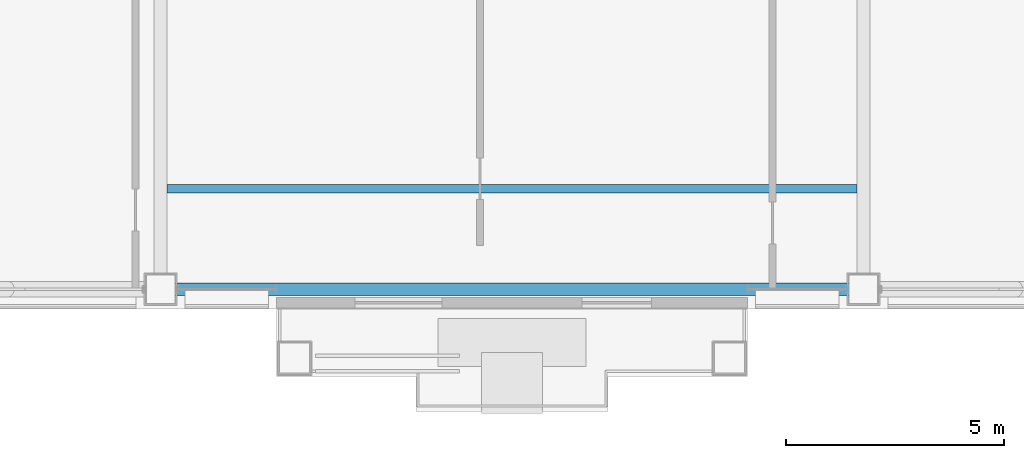
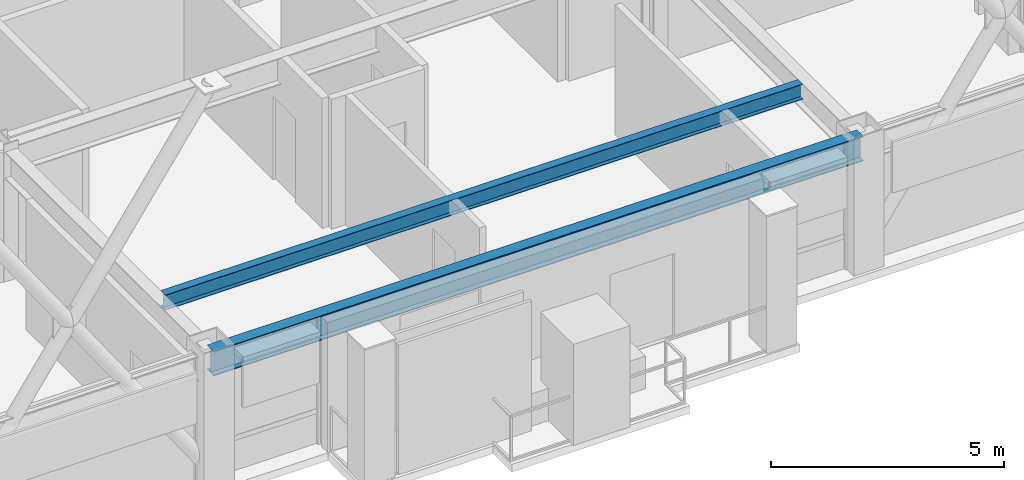
# One storey, part 8 of 32: 2 beams.
"""IFC4 building model written with IfcOpenShell, lengths in metres."""

import ifcopenshell
import ifcopenshell.guid

model = None  # the IFC model being written
_history = None  # IfcOwnerHistory: only IFC2X3 demands one
_inside = {}  # id of a spatial element -> (the spatial element, [elements in it])
_under = {}  # id of a project, library or spatial element -> (it, [spatial elements below it])
_declared = {}  # id of a project -> (the project, [libraries it declares])
_typed = {}  # id of a type object -> (the type object, [elements of that type])
_made_of = {}  # id of a material, layer set ... -> (it, [elements and type objects made of it])


def new_model(schema):
    """Start an empty IFC model of exactly this schema.

    Asked for "IFC4X3", IfcOpenShell would pick the latest addendum, in which some entities
    have other attributes; the version numbers below select the first issue.
    IFC2X3 requires an IfcOwnerHistory on every rooted entity: one is made here for all.
    """
    global model, _history
    if schema == "IFC4X3":
        model = ifcopenshell.file(schema_version=(4, 3, 0, 0))
    else:
        model = ifcopenshell.file(schema=schema)
    _inside.clear()
    _under.clear()
    _declared.clear()
    _typed.clear()
    _made_of.clear()
    _history = None
    if model.schema == "IFC2X3":
        org = make("IfcOrganization", Name="unknown")
        user = make(
            "IfcPersonAndOrganization",
            ThePerson=make("IfcPerson", FamilyName="unknown"),
            TheOrganization=org,
        )
        app = make(
            "IfcApplication",
            ApplicationDeveloper=org,
            Version="unknown",
            ApplicationFullName="unknown",
            ApplicationIdentifier="unknown",
        )
        _history = make(
            "IfcOwnerHistory",
            OwningUser=user,
            OwningApplication=app,
            ChangeAction="ADDED",
            CreationDate=0,
        )
    return model


def make(cls, **values):
    """One entity of the class cls with the attributes given. An attribute that is None is left unset."""
    return model.create_entity(
        cls, **{name: value for name, value in values.items() if value is not None}
    )


def rooted(cls, **values):
    """An entity with a GlobalId (a new one), such as an element, a storey or a relation."""
    return make(cls, GlobalId=ifcopenshell.guid.new(), OwnerHistory=_history, **values)


def si_unit(unit_type, name, prefix=None):
    """IfcSIUnit, for example si_unit("LENGTHUNIT", "METRE", prefix="MILLI")."""
    return make("IfcSIUnit", UnitType=unit_type, Prefix=prefix, Name=name)


def assignment(units):
    """IfcUnitAssignment: the units of a project."""
    return None if units is None else make("IfcUnitAssignment", Units=units)


def point(xyz):
    """IfcCartesianPoint."""
    return None if xyz is None else make("IfcCartesianPoint", Coordinates=xyz)


def direction(xyz):
    """IfcDirection."""
    return None if xyz is None else make("IfcDirection", DirectionRatios=xyz)


def frame(location, z_axis=None, x_axis=None):
    """IfcAxis2Placement3D, a coordinate frame: its origin and axes. An axis left out is left unset."""
    return make(
        "IfcAxis2Placement3D",
        Location=point(location),
        Axis=direction(z_axis),
        RefDirection=direction(x_axis),
    )


def frame_2d(location, x_axis=None):
    """IfcAxis2Placement2D, a coordinate frame in the plane: its origin and x axis."""
    return make(
        "IfcAxis2Placement2D", Location=point(location), RefDirection=direction(x_axis)
    )


def origin():
    """The frame at (0, 0, 0) with its axes left unset."""
    return frame((0.0, 0.0, 0.0))


def origin_2d():
    """The frame at (0, 0) in the plane with its x axis left unset."""
    return frame_2d((0.0, 0.0))


def place(relative_to, where):
    """IfcLocalPlacement: puts the frame where relative to a parent placement (None: the world)."""
    return make(
        "IfcLocalPlacement", PlacementRelTo=relative_to, RelativePlacement=where
    )


def context(
    kind, dimensions, precision=None, world=None, true_north=None, identifier=None
):
    """IfcGeometricRepresentationContext, for example the 3D "Model" context."""
    return make(
        "IfcGeometricRepresentationContext",
        ContextIdentifier=identifier,
        ContextType=kind,
        CoordinateSpaceDimension=dimensions,
        Precision=precision,
        WorldCoordinateSystem=world,
        TrueNorth=true_north,
    )


def subcontext(parent, identifier, kind, view, scale=None):
    """IfcGeometricRepresentationSubContext, for example "Body" below "Model"."""
    return make(
        "IfcGeometricRepresentationSubContext",
        ContextIdentifier=identifier,
        ContextType=kind,
        ParentContext=parent,
        TargetScale=scale,
        TargetView=view,
    )


def project(units=None, contexts=None):
    """IfcProject with its units and contexts."""
    return rooted(
        "IfcProject",
        Name="project",
        RepresentationContexts=contexts,
        UnitsInContext=assignment(units),
    )


def spatial(cls, under=None, at=None, **own):
    """A site, building, storey or space (cls), placed at a placement, below another one or the project."""
    s = rooted(cls, ObjectPlacement=at, **own)
    if under is not None:
        _under.setdefault(under.id(), (under, []))[1].append(s)
    return s


def profile(cls, at=None, kind="AREA", **sizes):
    """A parametric profile (cls). Its sizes go by their IFC names, for example OverallWidth=200.0."""
    return make(cls, ProfileType=kind, Position=at, **sizes)


def i_section(**sizes):
    """IfcIShapeProfileDef."""
    return profile("IfcIShapeProfileDef", **sizes)


def extrude(swept, where, along, depth):
    """IfcExtrudedAreaSolid: the profile swept, set in the frame where, extruded along a direction by depth."""
    return make(
        "IfcExtrudedAreaSolid",
        SweptArea=swept,
        Position=where,
        ExtrudedDirection=direction(along),
        Depth=depth,
    )


def shape(context_of_items, identifier, shape_type, items):
    """IfcShapeRepresentation: the items that make up one representation, for example the "Body"."""
    return make(
        "IfcShapeRepresentation",
        ContextOfItems=context_of_items,
        RepresentationIdentifier=identifier,
        RepresentationType=shape_type,
        Items=items,
    )


def material(Name=None, Category=None):
    """IfcMaterial."""
    return make("IfcMaterial", Name=Name, Category=Category)


def material_profile(
    of_material, cross_section, Name=None, Category=None, Priority=None
):
    """IfcMaterialProfile: a cross section and its material."""
    return make(
        "IfcMaterialProfile",
        Name=Name,
        Material=of_material,
        Profile=cross_section,
        Priority=Priority,
        Category=Category,
    )


def profile_set(profiles, Name=None, composite=None):
    """IfcMaterialProfileSet."""
    return make(
        "IfcMaterialProfileSet",
        Name=Name,
        MaterialProfiles=profiles,
        CompositeProfile=composite,
    )


def made_of(thing, what):
    """Note that an element or type object is made of a material, layer set ...; save() writes the relation."""
    if what is not None:
        _made_of.setdefault(what.id(), (what, []))[1].append(thing)
    return thing


def type_object(cls, material=None, **own):
    """A type object (cls), such as IfcWallType, which elements share."""
    return made_of(rooted(cls, **own), material)


def element(
    cls,
    number,
    at=None,
    inside=None,
    cuts=None,
    type_object=None,
    material=None,
    context=None,
    identifier="Body",
    shape_type=None,
    held_by="IfcProductDefinitionShape",
    body=None,
    shapes=None,
    **own,
):
    """One element of the class cls, such as IfcWall. Its Tag is "e" and its number.

    at: its placement. inside: the storey or other place that contains it. cuts: it is an
    opening in that element (IfcRelVoidsElement). A single representation is given by context,
    identifier, shape_type and body (its items); several are given by shapes. held_by: the class
    of the entity that holds the representations. save() writes the other relations.
    """
    e = rooted(cls, Tag="e%d" % number, ObjectPlacement=at, **own)
    if body is not None:
        shapes = [shape(context, identifier, shape_type, body)]
    if shapes is not None:
        e.Representation = make(held_by, Representations=shapes)
    if inside is not None:
        _inside.setdefault(inside.id(), (inside, []))[1].append(e)
    if cuts is not None:
        rooted(
            "IfcRelVoidsElement", RelatingBuildingElement=cuts, RelatedOpeningElement=e
        )
    if type_object is not None:
        _typed.setdefault(type_object.id(), (type_object, []))[1].append(e)
    return made_of(e, material)


def aggregate(whole, parts):
    """IfcRelAggregates: a whole, such as a stair, and the parts it consists of."""
    return rooted("IfcRelAggregates", RelatingObject=whole, RelatedObjects=parts)


def save(model, path):
    """Write the relations noted so far, then the file.

    IfcRelAggregates (storeys below a building ...), IfcRelContainedInSpatialStructure (elements
    in a storey), IfcRelDefinesByType, IfcRelAssociatesMaterial and IfcRelDeclares: one each for
    every whole, place, type object, material and project.
    """
    for whole, parts in _under.values():
        aggregate(whole, parts)
    for where, things in _inside.values():
        rooted(
            "IfcRelContainedInSpatialStructure",
            RelatedElements=things,
            RelatingStructure=where,
        )
    for kind, things in _typed.values():
        rooted("IfcRelDefinesByType", RelatedObjects=things, RelatingType=kind)
    for what, things in _made_of.values():
        rooted("IfcRelAssociatesMaterial", RelatedObjects=things, RelatingMaterial=what)
    for by, libraries in _declared.values():
        rooted("IfcRelDeclares", RelatingContext=by, RelatedDefinitions=libraries)
    model.write(path)


model = new_model("IFC4")

# Units and contexts
model_context = context("Model", 3, precision=1e-05, world=origin(), true_north=direction((0.0, 1.0)))
body_context = subcontext(model_context, "Body", "Model", "MODEL_VIEW")
ifc_project = project(units=[si_unit("LENGTHUNIT", "METRE"), si_unit("AREAUNIT", "SQUARE_METRE"), si_unit("VOLUMEUNIT", "CUBIC_METRE"), si_unit("PLANEANGLEUNIT", "RADIAN"), si_unit("MASSUNIT", "GRAM", prefix="KILO")], contexts=[model_context])

# Site, building, storey
site_placement = place(None, origin())
site = spatial("IfcSite", under=ifc_project, at=site_placement, CompositionType="ELEMENT")
building_placement = place(site_placement, origin())
building = spatial("IfcBuilding", under=site, at=building_placement, Name="Brelmoor Portico Tower", CompositionType="ELEMENT")
storey_placement = place(building_placement, frame((0.0, 0.0, 162.300048828125)))
storey = spatial("IfcBuildingStorey", under=building, at=storey_placement, Name="L42", CompositionType="ELEMENT", Elevation=162.300048828125)

# Beams
ifc_material = material(Name="Steel Q355B", Category="steel")
ifc_material_profile_1 = material_profile(ifc_material, i_section(OverallWidth=0.199951171875, OverallDepth=0.39990234375, WebThickness=0.008056640625, FlangeThickness=0.012939453125, at=origin_2d()), Name="HN 400x200x8x13")
ifc_profile_set_1 = profile_set([ifc_material_profile_1], Name="Steel Q355B")
beam_type_1 = type_object("IfcBeamType", Name="BM-JS-400", PredefinedType="JOIST", material=ifc_profile_set_1)
beam_1_placement = place(storey_placement, frame((-7.89990234375, -16.25, 3.199951171875), z_axis=(1.0, 0.0, 0.0), x_axis=(0.0, 1.0, 0.0)))
element("IfcBeam", 1, at=beam_1_placement, inside=storey, type_object=beam_type_1, Name="L42 Secondary Composite Joist JS-C01", PredefinedType="JOIST", context=body_context, shape_type="SweptSolid", body=[
    extrude(i_section(OverallWidth=0.199951171875, OverallDepth=0.39990234375, WebThickness=0.008056640625, FlangeThickness=0.012939453125, at=origin_2d()), origin(), (0.0, 0.0, 1.0), 15.7998046875),
])
ifc_material_profile_2 = material_profile(ifc_material, i_section(OverallWidth=0.280029296875, OverallDepth=0.64990234375, WebThickness=0.012939453125, FlangeThickness=0.02197265625, at=origin_2d()), Name="HN 650x280x13x22")
ifc_profile_set_2 = profile_set([ifc_material_profile_2], Name="Steel Q355B")
beam_type_2 = type_object("IfcBeamType", Name="BM-SP-650", PredefinedType="SPANDREL", material=ifc_profile_set_2)
beam_2_placement = place(storey_placement, frame((-8.050048828125, -18.550048828125, 3.074951171875), z_axis=(1.0, 0.0, 0.0), x_axis=(0.0, 1.0, 0.0)))
element("IfcBeam", 2, at=beam_2_placement, inside=storey, type_object=beam_type_2, Name="L42 Perimeter Spandrel Beam SP-02", PredefinedType="SPANDREL", context=body_context, shape_type="SweptSolid", body=[
    extrude(i_section(OverallWidth=0.280029296875, OverallDepth=0.64990234375, WebThickness=0.012939453125, FlangeThickness=0.02197265625, at=origin_2d()), origin(), (0.0, 0.0, 1.0), 16.10009765625),
])

save(model, "model.ifc")
